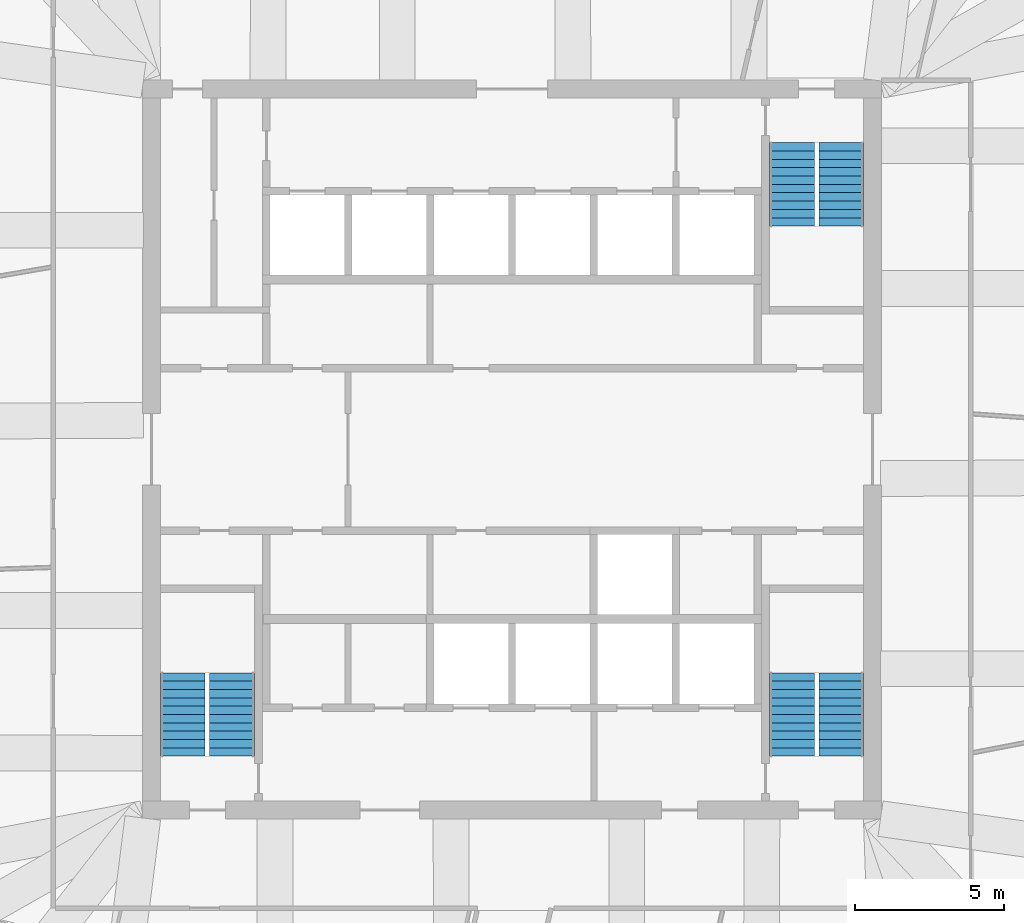
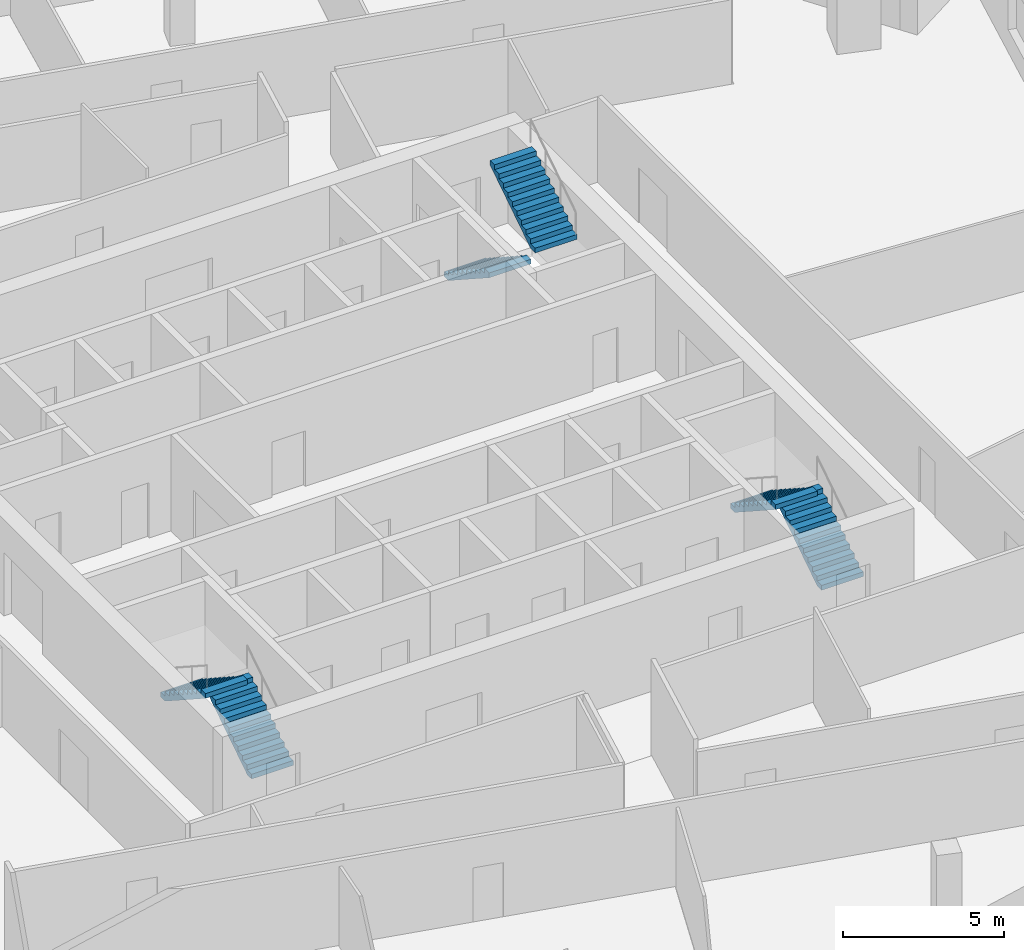
# One storey, part 11 of 14: 6 stair flights, 3 elements without a shape of their own.
"""IFC4 building model written with IfcOpenShell, lengths in metres."""

from ifc_helpers import new_model, si_unit, direction, frame, origin, place, context, subcontext, project, spatial, polyline, outline, extrude, material, type_object, element, aggregate, save


model = new_model("IFC4")

# Units and contexts
model_context = context("Model", 3, precision=1e-05, world=origin(), true_north=direction((0.0, 1.0)))
body_context = subcontext(model_context, "Body", "Model", "MODEL_VIEW")
ifc_project = project(units=[si_unit("LENGTHUNIT", "METRE"), si_unit("AREAUNIT", "SQUARE_METRE"), si_unit("VOLUMEUNIT", "CUBIC_METRE"), si_unit("PLANEANGLEUNIT", "RADIAN"), si_unit("MASSUNIT", "GRAM", prefix="KILO")], contexts=[model_context])

# Site, building, storey
site_placement = place(None, origin())
site = spatial("IfcSite", under=ifc_project, at=site_placement, CompositionType="ELEMENT")
building_placement = place(site_placement, origin())
building = spatial("IfcBuilding", under=site, at=building_placement, Name="Dilmun Exchange Tower", CompositionType="ELEMENT")
storey_placement = place(building_placement, frame((0.0, 0.0, 336.5)))
storey = spatial("IfcBuildingStorey", under=building, at=storey_placement, Name="L80", CompositionType="ELEMENT", Elevation=336.5)

# Stair, stair flights
ifc_material = material(Name="Concrete C40/50", Category="concrete")
stair_type = type_object("IfcStairType", Name="Exit stair 1500 half-turn", PredefinedType="HALF_TURN_STAIR", material=ifc_material)
stair_1_placement = place(storey_placement, origin())
stair_1 = element("IfcStair", 1, at=stair_1_placement, inside=storey, type_object=stair_type, Name="L80 Protected exit stair ST1", PredefinedType="HALF_TURN_STAIR")
stair_flight_type = type_object("IfcStairFlightType", Name="Exit stair flight 1500", PredefinedType="STRAIGHT", material=ifc_material)
stair_flight_1_placement = place(storey_placement, frame((9.39990234375, 10.300048828125, 0.0), z_axis=(0.0, 0.0, 1.0), x_axis=(0.0, -1.0, 0.0)))
stair_flight_1 = element("IfcStairFlight", 2, at=stair_flight_1_placement, type_object=stair_flight_type, Name="ST1 flight 1", NumberOfRisers=11, NumberOfTreads=10, PredefinedType="STRAIGHT", RiserHeight=0.181818182, TreadLength=0.28, context=body_context, shape_type="SweptSolid", body=[
    extrude(outline(polyline([(0.0, 0.0), (0.0, 0.181884765625), (0.280029296875, 0.181884765625), (0.280029296875, 0.363525390625), (0.56005859375, 0.363525390625), (0.56005859375, 0.54541015625), (0.840087890625, 0.54541015625), (0.840087890625, 0.727294921875), (1.1201171875, 0.727294921875), (1.1201171875, 0.9091796875), (1.39990234375, 0.9091796875), (1.39990234375, 1.0908203125), (1.679931640625, 1.0908203125), (1.679931640625, 1.272705078125), (1.9599609375, 1.272705078125), (1.9599609375, 1.45458984375), (2.239990234375, 1.45458984375), (2.239990234375, 1.636474609375), (2.52001953125, 1.636474609375), (2.52001953125, 1.818115234375), (2.800048828125, 1.818115234375), (2.800048828125, 2.0), (2.800048828125, 1.639404296875), (0.275146484375, 0.0), (0.0, 0.0)])), frame((0.0, 0.75, 0.0), z_axis=(0.0, -1.0, 0.0), x_axis=(1.0, 0.0, 0.0)), (0.0, 0.0, 1.0), 1.5),
])
stair_flight_2_placement = place(storey_placement, frame((11.050048828125, 7.5, 2.0), z_axis=(0.0, 0.0, 1.0), x_axis=(0.0, 1.0, 0.0)))
stair_flight_2 = element("IfcStairFlight", 3, at=stair_flight_2_placement, type_object=stair_flight_type, Name="ST1 flight 2", NumberOfRisers=11, NumberOfTreads=10, PredefinedType="STRAIGHT", RiserHeight=0.181818182, TreadLength=0.28, context=body_context, shape_type="SweptSolid", body=[
    extrude(outline(polyline([(0.0, 0.0), (0.0, 0.181884765625), (0.280029296875, 0.181884765625), (0.280029296875, 0.363525390625), (0.56005859375, 0.363525390625), (0.56005859375, 0.54541015625), (0.840087890625, 0.54541015625), (0.840087890625, 0.727294921875), (1.1201171875, 0.727294921875), (1.1201171875, 0.9091796875), (1.39990234375, 0.9091796875), (1.39990234375, 1.0908203125), (1.679931640625, 1.0908203125), (1.679931640625, 1.272705078125), (1.9599609375, 1.272705078125), (1.9599609375, 1.45458984375), (2.239990234375, 1.45458984375), (2.239990234375, 1.636474609375), (2.52001953125, 1.636474609375), (2.52001953125, 1.818115234375), (2.800048828125, 1.818115234375), (2.800048828125, 2.0), (2.800048828125, 1.639404296875), (0.275146484375, 0.0), (0.0, 0.0)])), frame((0.0, 0.75, 0.0), z_axis=(0.0, -1.0, 0.0), x_axis=(1.0, 0.0, 0.0)), (0.0, 0.0, 1.0), 1.5),
])
aggregate(stair_1, [stair_flight_1, stair_flight_2])

stair_2_placement = place(storey_placement, origin())
stair_2 = element("IfcStair", 4, at=stair_2_placement, inside=storey, type_object=stair_type, Name="L80 Protected exit stair ST2", PredefinedType="HALF_TURN_STAIR")
stair_flight_3_placement = place(storey_placement, frame((-9.39990234375, -10.300048828125, 0.0), z_axis=(0.0, 0.0, 1.0), x_axis=(0.0, 1.0, 0.0)))
stair_flight_3 = element("IfcStairFlight", 5, at=stair_flight_3_placement, type_object=stair_flight_type, Name="ST2 flight 1", NumberOfRisers=11, NumberOfTreads=10, PredefinedType="STRAIGHT", RiserHeight=0.181818182, TreadLength=0.28, context=body_context, shape_type="SweptSolid", body=[
    extrude(outline(polyline([(0.0, 0.0), (0.0, 0.181884765625), (0.280029296875, 0.181884765625), (0.280029296875, 0.363525390625), (0.56005859375, 0.363525390625), (0.56005859375, 0.54541015625), (0.840087890625, 0.54541015625), (0.840087890625, 0.727294921875), (1.1201171875, 0.727294921875), (1.1201171875, 0.9091796875), (1.39990234375, 0.9091796875), (1.39990234375, 1.0908203125), (1.679931640625, 1.0908203125), (1.679931640625, 1.272705078125), (1.9599609375, 1.272705078125), (1.9599609375, 1.45458984375), (2.239990234375, 1.45458984375), (2.239990234375, 1.636474609375), (2.52001953125, 1.636474609375), (2.52001953125, 1.818115234375), (2.800048828125, 1.818115234375), (2.800048828125, 2.0), (2.800048828125, 1.639404296875), (0.275146484375, 0.0), (0.0, 0.0)])), frame((0.0, 0.75, 0.0), z_axis=(0.0, -1.0, 0.0), x_axis=(1.0, 0.0, 0.0)), (0.0, 0.0, 1.0), 1.5),
])
stair_flight_4_placement = place(storey_placement, frame((-11.050048828125, -7.5, 2.0), z_axis=(0.0, 0.0, 1.0), x_axis=(0.0, -1.0, 0.0)))
stair_flight_4 = element("IfcStairFlight", 6, at=stair_flight_4_placement, type_object=stair_flight_type, Name="ST2 flight 2", NumberOfRisers=11, NumberOfTreads=10, PredefinedType="STRAIGHT", RiserHeight=0.181818182, TreadLength=0.28, context=body_context, shape_type="SweptSolid", body=[
    extrude(outline(polyline([(0.0, 0.0), (0.0, 0.181884765625), (0.280029296875, 0.181884765625), (0.280029296875, 0.363525390625), (0.56005859375, 0.363525390625), (0.56005859375, 0.54541015625), (0.840087890625, 0.54541015625), (0.840087890625, 0.727294921875), (1.1201171875, 0.727294921875), (1.1201171875, 0.9091796875), (1.39990234375, 0.9091796875), (1.39990234375, 1.0908203125), (1.679931640625, 1.0908203125), (1.679931640625, 1.272705078125), (1.9599609375, 1.272705078125), (1.9599609375, 1.45458984375), (2.239990234375, 1.45458984375), (2.239990234375, 1.636474609375), (2.52001953125, 1.636474609375), (2.52001953125, 1.818115234375), (2.800048828125, 1.818115234375), (2.800048828125, 2.0), (2.800048828125, 1.639404296875), (0.275146484375, 0.0), (0.0, 0.0)])), frame((0.0, 0.75, 0.0), z_axis=(0.0, -1.0, 0.0), x_axis=(1.0, 0.0, 0.0)), (0.0, 0.0, 1.0), 1.5),
])
aggregate(stair_2, [stair_flight_3, stair_flight_4])

stair_3_placement = place(storey_placement, origin())
stair_3 = element("IfcStair", 7, at=stair_3_placement, inside=storey, type_object=stair_type, Name="L80 Protected exit stair ST3", PredefinedType="HALF_TURN_STAIR")
stair_flight_5_placement = place(storey_placement, frame((11.050048828125, -10.300048828125, 0.0), z_axis=(0.0, 0.0, 1.0), x_axis=(0.0, 1.0, 0.0)))
stair_flight_5 = element("IfcStairFlight", 8, at=stair_flight_5_placement, type_object=stair_flight_type, Name="ST3 flight 1", NumberOfRisers=11, NumberOfTreads=10, PredefinedType="STRAIGHT", RiserHeight=0.181818182, TreadLength=0.28, context=body_context, shape_type="SweptSolid", body=[
    extrude(outline(polyline([(0.0, 0.0), (0.0, 0.181884765625), (0.280029296875, 0.181884765625), (0.280029296875, 0.363525390625), (0.56005859375, 0.363525390625), (0.56005859375, 0.54541015625), (0.840087890625, 0.54541015625), (0.840087890625, 0.727294921875), (1.1201171875, 0.727294921875), (1.1201171875, 0.9091796875), (1.39990234375, 0.9091796875), (1.39990234375, 1.0908203125), (1.679931640625, 1.0908203125), (1.679931640625, 1.272705078125), (1.9599609375, 1.272705078125), (1.9599609375, 1.45458984375), (2.239990234375, 1.45458984375), (2.239990234375, 1.636474609375), (2.52001953125, 1.636474609375), (2.52001953125, 1.818115234375), (2.800048828125, 1.818115234375), (2.800048828125, 2.0), (2.800048828125, 1.639404296875), (0.275146484375, 0.0), (0.0, 0.0)])), frame((0.0, 0.75, 0.0), z_axis=(0.0, -1.0, 0.0), x_axis=(1.0, 0.0, 0.0)), (0.0, 0.0, 1.0), 1.5),
])
stair_flight_6_placement = place(storey_placement, frame((9.39990234375, -7.5, 2.0), z_axis=(0.0, 0.0, 1.0), x_axis=(0.0, -1.0, 0.0)))
stair_flight_6 = element("IfcStairFlight", 9, at=stair_flight_6_placement, type_object=stair_flight_type, Name="ST3 flight 2", NumberOfRisers=11, NumberOfTreads=10, PredefinedType="STRAIGHT", RiserHeight=0.181818182, TreadLength=0.28, context=body_context, shape_type="SweptSolid", body=[
    extrude(outline(polyline([(0.0, 0.0), (0.0, 0.181884765625), (0.280029296875, 0.181884765625), (0.280029296875, 0.363525390625), (0.56005859375, 0.363525390625), (0.56005859375, 0.54541015625), (0.840087890625, 0.54541015625), (0.840087890625, 0.727294921875), (1.1201171875, 0.727294921875), (1.1201171875, 0.9091796875), (1.39990234375, 0.9091796875), (1.39990234375, 1.0908203125), (1.679931640625, 1.0908203125), (1.679931640625, 1.272705078125), (1.9599609375, 1.272705078125), (1.9599609375, 1.45458984375), (2.239990234375, 1.45458984375), (2.239990234375, 1.636474609375), (2.52001953125, 1.636474609375), (2.52001953125, 1.818115234375), (2.800048828125, 1.818115234375), (2.800048828125, 2.0), (2.800048828125, 1.639404296875), (0.275146484375, 0.0), (0.0, 0.0)])), frame((0.0, 0.75, 0.0), z_axis=(0.0, -1.0, 0.0), x_axis=(1.0, 0.0, 0.0)), (0.0, 0.0, 1.0), 1.5),
])
aggregate(stair_3, [stair_flight_5, stair_flight_6])

save(model, "model.ifc")
